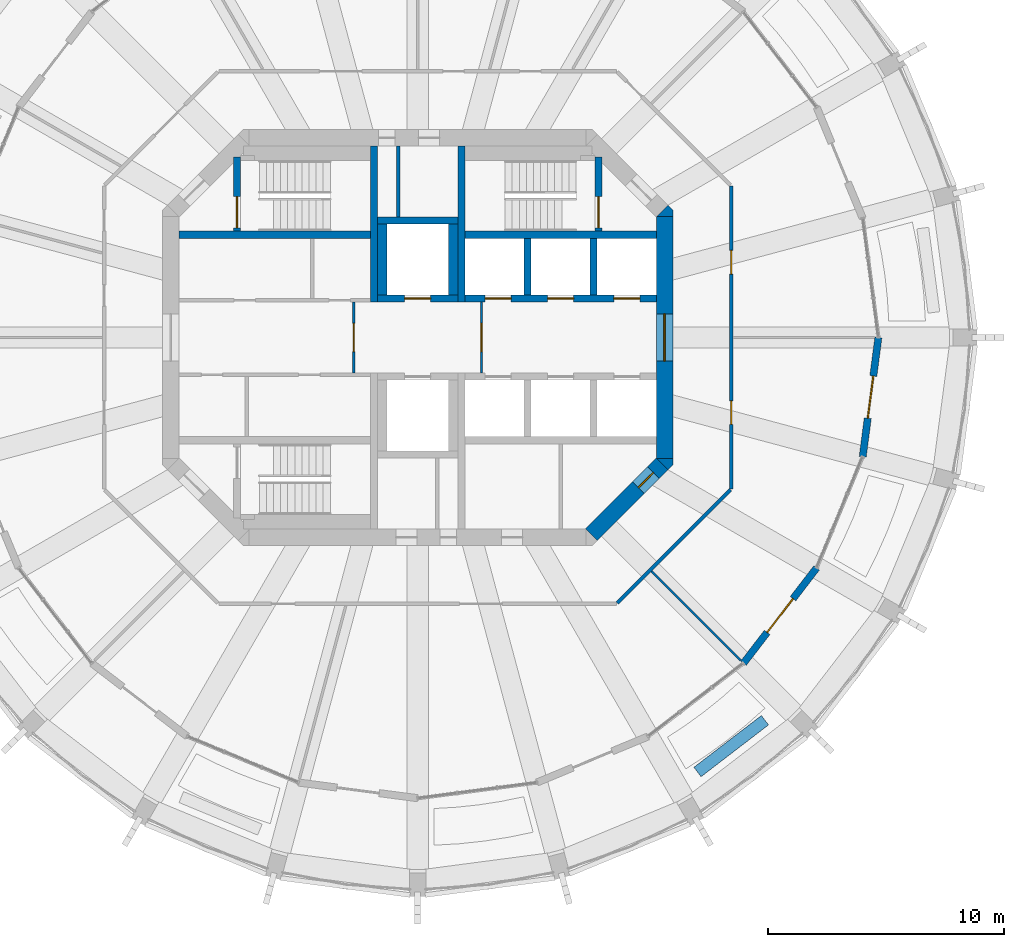
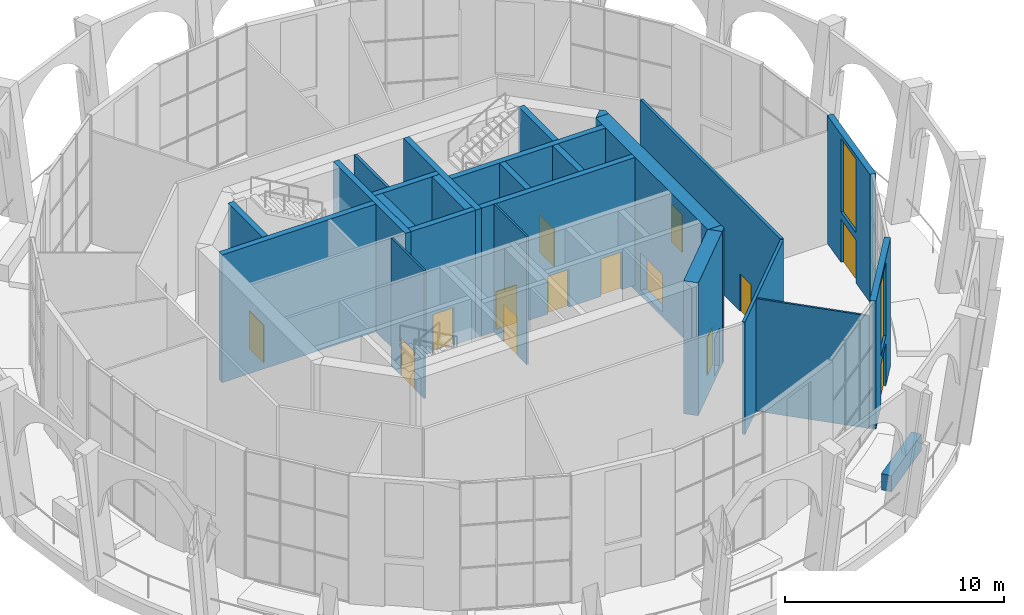
# One storey, part 11 of 16: 26 walls, 14 doors, 2 windows, 16 openings.
"""IFC4 building model written with IfcOpenShell, lengths in metres."""

from ifc_helpers import new_model, si_unit, direction, frame, frame_2d, origin, place, context, subcontext, project, spatial, polyline, rectangle, outline, extrude, material, layer, layer_set, type_object, element, fill, save


model = new_model("IFC4")

# Units and contexts
model_context = context("Model", 3, precision=1e-05, world=origin(), true_north=direction((0.0, 1.0)))
body_context = subcontext(model_context, "Body", "Model", "MODEL_VIEW")
ifc_project = project(units=[si_unit("LENGTHUNIT", "METRE"), si_unit("AREAUNIT", "SQUARE_METRE"), si_unit("VOLUMEUNIT", "CUBIC_METRE"), si_unit("PLANEANGLEUNIT", "RADIAN"), si_unit("MASSUNIT", "GRAM", prefix="KILO")], contexts=[model_context])

# Site, building, storey
site_placement = place(None, origin())
site = spatial("IfcSite", under=ifc_project, at=site_placement, CompositionType="ELEMENT")
building_placement = place(site_placement, origin())
building = spatial("IfcBuilding", under=site, at=building_placement, Name="Torre Triforio", CompositionType="ELEMENT")
storey_placement = place(building_placement, frame((0.0, 0.0, 218.699951171875)))
storey = spatial("IfcBuildingStorey", under=building, at=storey_placement, Name="L50", CompositionType="ELEMENT", Elevation=218.699951171875)

# Walls
ifc_material_1 = material(Name="Concrete C50", Category="concrete")
ifc_layer_1 = layer(ifc_material_1, 0.300048828125)
ifc_layer_set_1 = layer_set([ifc_layer_1], Name="Concrete C50")
wall_type_1 = type_object("IfcWallType", Name="Core wall 300 mm C50 EI 120", PredefinedType="SHEAR", material=ifc_layer_set_1)
for number, where, z_axis, x_axis, name in (
    (1, (-1.85009765625, 1.5, 0.0), (0.0, 0.0, 1.0), (0.0, 1.0, 0.0), "Core wall"),
    (2, (1.85009765625, 1.5, 0.0), (0.0, 0.0, 1.0), (0.0, 1.0, 0.0), "Core wall"),
):
    element("IfcWall", number, at=place(storey_placement, frame(where, z_axis=z_axis, x_axis=x_axis)), inside=storey, type_object=wall_type_1, Name=name, PredefinedType="SHEAR", context=body_context, shape_type="SweptSolid", body=[
        extrude(rectangle(XDim=6.60009765625, YDim=0.300048828125, at=frame_2d((3.300048828125, 0.0))), origin(), (0.0, 0.0, 1.0), 7.1201171875),
    ])

# Wall, opening, door
ifc_layer_2 = layer(ifc_material_1, 0.699951171875)
ifc_layer_set_2 = layer_set([ifc_layer_2], Name="Concrete C50")
wall_type_2 = type_object("IfcWallType", Name="Core wall 700 mm C50 EI 120", PredefinedType="SHEAR", material=ifc_layer_set_2)
wall_1_placement = place(storey_placement, frame((10.449951171875, -5.1298828125, -0.280029296875), z_axis=(0.0, 0.0, 1.0), x_axis=(0.0, 1.0, 0.0)))
wall_1 = element("IfcWall", 3, at=wall_1_placement, inside=storey, type_object=wall_type_2, Name="Core wall", PredefinedType="SHEAR", context=body_context, shape_type="SweptSolid", body=[
    extrude(rectangle(XDim=10.259765625, YDim=0.699951171875, at=frame_2d((5.1298828125, 0.0))), origin(), (0.0, 0.0, 1.0), 7.400146484375),
])
opening_1_placement = place(wall_1_placement, frame((4.1298828125, 0.0, 0.280029296875)))
opening_1 = element("IfcOpeningElement", 4, at=opening_1_placement, cuts=wall_1, Name="Opening E-RING", PredefinedType="OPENING", context=body_context, shape_type="SweptSolid", body=[
    extrude(rectangle(XDim=2.0, YDim=2.10009765625, at=frame_2d((1.0, 1.050048828125))), frame((0.0, 0.35986328125, 0.0), z_axis=(0.0, -1.0, 0.0), x_axis=(1.0, 0.0, 0.0)), (0.0, 0.0, 1.0), 0.719970703125),
])
ifc_material_2 = material(Name="Hollow metal fire door leaf")
door_type_1 = type_object("IfcDoorType", Name="Lobby door 2000 x 2100 EI 60", OperationType="DOUBLE_DOOR_SINGLE_SWING", PredefinedType="DOOR", material=ifc_material_2)
door_1_placement = place(opening_1_placement, origin())
door_1 = element("IfcDoor", 5, at=door_1_placement, inside=storey, type_object=door_type_1, Name="Core door E-RING", OperationType="DOUBLE_DOOR_SINGLE_SWING", OverallHeight=2.10009765625, OverallWidth=2.0, PredefinedType="DOOR", context=body_context, shape_type="SweptSolid", body=[
    extrude(rectangle(XDim=2.0, YDim=2.10009765625, at=frame_2d((1.0, 1.050048828125))), frame((0.0, 0.02490234375, 0.0), z_axis=(0.0, -1.0, 0.0), x_axis=(1.0, 0.0, 0.0)), (0.0, 0.0, 1.0), 0.050048828125),
])
fill(opening_1, door_1)

wall_2_placement = place(storey_placement, frame((10.347412109375, -5.347412109375, -0.280029296875), z_axis=(0.0, 0.0, 1.0), x_axis=(-0.707106781187, -0.707106781187, 0.0)))
wall_2 = element("IfcWall", 6, at=wall_2_placement, inside=storey, type_object=wall_type_2, Name="Core wall", PredefinedType="SHEAR", context=body_context, shape_type="SweptSolid", body=[
    extrude(rectangle(XDim=4.24267578125, YDim=0.699951171875, at=frame_2d((2.121337890625, 0.0))), origin(), (0.0, 0.0, 1.0), 7.400146484375),
])
opening_2_placement = place(wall_2_placement, frame((0.52001953125, 0.0, 0.280029296875)))
opening_2 = element("IfcOpeningElement", 7, at=opening_2_placement, cuts=wall_2, Name="Opening SE-02", PredefinedType="OPENING", context=body_context, shape_type="SweptSolid", body=[
    extrude(rectangle(XDim=0.89990234375, YDim=2.10009765625, at=frame_2d((0.449951171875, 1.050048828125))), frame((0.0, 0.35986328125, 0.0), z_axis=(0.0, -1.0, 0.0), x_axis=(1.0, 0.0, 0.0)), (0.0, 0.0, 1.0), 0.719970703125),
])
door_type_2 = type_object("IfcDoorType", Name="Room door 900 x 2100 EI 60", OperationType="NOTDEFINED", PredefinedType="DOOR", material=ifc_material_2)
door_2_placement = place(opening_2_placement, origin())
door_2 = element("IfcDoor", 8, at=door_2_placement, inside=storey, type_object=door_type_2, Name="Core door SE-02", OperationType="SINGLE_SWING_RIGHT", OverallHeight=2.10009765625, OverallWidth=0.89990234375, PredefinedType="DOOR", context=body_context, shape_type="SweptSolid", body=[
    extrude(rectangle(XDim=0.89990234375, YDim=2.10009765625, at=frame_2d((0.449951171875, 1.050048828125))), frame((0.0, 0.02490234375, 0.0), z_axis=(0.0, -1.0, 0.0), x_axis=(1.0, 0.0, 0.0)), (0.0, 0.0, 1.0), 0.050048828125),
])
fill(opening_2, door_2)

# Walls
wall_3_placement = place(storey_placement, frame((0.0, 0.0, -0.280029296875)))
element("IfcWall", 9, at=wall_3_placement, inside=storey, type_object=wall_type_2, Name="Core wall", PredefinedType="SHEAR", context=body_context, shape_type="SweptSolid", body=[
    extrude(outline(polyline([(10.800048828125, -5.389892578125), (10.594970703125, -5.594970703125), (10.594970703125, -5.594970703125), (10.594970703125, -5.594970703125), (10.1298828125, -5.1298828125), (10.800048828125, -5.1298828125), (10.800048828125, -5.1298828125), (10.800048828125, -5.389892578125)])), origin(), (0.0, 0.0, 1.0), 7.400146484375),
])
wall_4_placement = place(storey_placement, frame((0.0, 0.0, -0.280029296875)))
element("IfcWall", 10, at=wall_4_placement, inside=storey, type_object=wall_type_2, Name="Core wall", PredefinedType="SHEAR", context=body_context, shape_type="SweptSolid", body=[
    extrude(outline(polyline([(10.800048828125, 5.389892578125), (10.800048828125, 5.1298828125), (10.800048828125, 5.1298828125), (10.1298828125, 5.1298828125), (10.594970703125, 5.594970703125), (10.594970703125, 5.594970703125), (10.594970703125, 5.594970703125), (10.800048828125, 5.389892578125)])), origin(), (0.0, 0.0, 1.0), 7.400146484375),
])
ifc_material_3 = material(Name="Plasterboard on metal studs")
ifc_layer_3 = layer(ifc_material_3, 0.14990234375)
ifc_layer_set_3 = layer_set([ifc_layer_3], Name="Plasterboard on metal studs")
wall_type_3 = type_object("IfcWallType", Name="Corridor and tenancy wall 150 mm EI 60", PredefinedType="PARTITIONING", material=ifc_layer_set_3)
wall_5_placement = place(storey_placement, frame((13.23779296875, -6.452392578125, 0.0), z_axis=(0.0, 0.0, 1.0), x_axis=(-0.707106781187, -0.707106781187, 0.0)))
element("IfcWall", 11, at=wall_5_placement, inside=storey, type_object=wall_type_3, Name="Partition 1", PredefinedType="PARTITIONING", context=body_context, shape_type="SweptSolid", body=[
    extrude(rectangle(XDim=6.767578125, YDim=0.14990234375, at=frame_2d((3.3837890625, 0.0))), origin(), (0.0, 0.0, 1.0), 6.27001953125),
])

# Wall, openings, doors
wall_6_placement = place(storey_placement, frame((13.27490234375, 6.4150390625, 0.0), z_axis=(0.0, 0.0, 1.0), x_axis=(0.0, -1.0, 0.0)))
wall_6 = element("IfcWall", 12, at=wall_6_placement, inside=storey, type_object=wall_type_3, Name="Partition 8", PredefinedType="PARTITIONING", context=body_context, shape_type="SweptSolid", body=[
    extrude(rectangle(XDim=12.830078125, YDim=0.14990234375, at=frame_2d((6.4150390625, 0.0))), origin(), (0.0, 0.0, 1.0), 6.27001953125),
])
opening_3_placement = place(wall_6_placement, frame((9.09765625, 0.0, 0.0)))
opening_3 = element("IfcOpeningElement", 13, at=opening_3_placement, cuts=wall_6, Name="Opening G3-08", PredefinedType="OPENING", context=body_context, shape_type="SweptSolid", body=[
    extrude(rectangle(XDim=1.0, YDim=2.10009765625, at=frame_2d((0.5, 1.050048828125))), frame((0.0, 0.0849609375, 0.0), z_axis=(0.0, -1.0, 0.0), x_axis=(1.0, 0.0, 0.0)), (0.0, 0.0, 1.0), 0.169921875),
])
opening_4_placement = place(wall_6_placement, frame((2.732666015625, 0.0, 0.0)))
opening_4 = element("IfcOpeningElement", 14, at=opening_4_placement, cuts=wall_6, Name="Opening G3-09", PredefinedType="OPENING", context=body_context, shape_type="SweptSolid", body=[
    extrude(rectangle(XDim=1.0, YDim=2.10009765625, at=frame_2d((0.5, 1.050048828125))), frame((0.0, 0.0849609375, 0.0), z_axis=(0.0, -1.0, 0.0), x_axis=(1.0, 0.0, 0.0)), (0.0, 0.0, 1.0), 0.169921875),
])
ifc_material_4 = material(Name="Timber", Category="wood")
door_type_3 = type_object("IfcDoorType", Name="Door 1000 x 2100 single leaf EI 30", OperationType="NOTDEFINED", PredefinedType="DOOR", material=ifc_material_4)
door_3_placement = place(opening_3_placement, origin())
door_3 = element("IfcDoor", 15, at=door_3_placement, inside=storey, type_object=door_type_3, Name="Door G3-08", OperationType="SINGLE_SWING_LEFT", OverallHeight=2.10009765625, OverallWidth=1.0, PredefinedType="DOOR", context=body_context, shape_type="SweptSolid", body=[
    extrude(rectangle(XDim=1.0, YDim=2.10009765625, at=frame_2d((0.5, 1.050048828125))), frame((0.0, 0.02490234375, 0.0), z_axis=(0.0, -1.0, 0.0), x_axis=(1.0, 0.0, 0.0)), (0.0, 0.0, 1.0), 0.050048828125),
])
fill(opening_3, door_3)
door_4_placement = place(opening_4_placement, origin())
door_4 = element("IfcDoor", 16, at=door_4_placement, inside=storey, type_object=door_type_3, Name="Door G3-09", OperationType="SINGLE_SWING_LEFT", OverallHeight=2.10009765625, OverallWidth=1.0, PredefinedType="DOOR", context=body_context, shape_type="SweptSolid", body=[
    extrude(rectangle(XDim=1.0, YDim=2.10009765625, at=frame_2d((0.5, 1.050048828125))), frame((0.0, 0.02490234375, 0.0), z_axis=(0.0, -1.0, 0.0), x_axis=(1.0, 0.0, 0.0)), (0.0, 0.0, 1.0), 0.050048828125),
])
fill(opening_4, door_4)

# Wall, opening, door
ifc_material_5 = material(Name="Block and board partition")
ifc_layer_4 = layer(ifc_material_5, 0.10009765625)
ifc_layer_set_4 = layer_set([ifc_layer_4], Name="Block and board partition")
wall_type_4 = type_object("IfcWallType", Name="Partition 100 mm EI 120", PredefinedType="PARTITIONING", material=ifc_layer_set_4)
wall_7_placement = place(storey_placement, frame((-2.699951171875, -1.5, 0.0), z_axis=(0.0, 0.0, 1.0), x_axis=(0.0, 1.0, 0.0)))
wall_7 = element("IfcWall", 17, at=wall_7_placement, inside=storey, type_object=wall_type_4, Name="Partition", PredefinedType="PARTITIONING", context=body_context, shape_type="SweptSolid", body=[
    extrude(rectangle(XDim=3.0, YDim=0.10009765625, at=frame_2d((1.5, 0.0))), origin(), (0.0, 0.0, 1.0), 7.1201171875),
])
opening_5_placement = place(wall_7_placement, frame((0.89990234375, 0.0, 0.0)))
opening_5 = element("IfcOpeningElement", 18, at=opening_5_placement, cuts=wall_7, Name="Opening FF-W", PredefinedType="OPENING", context=body_context, shape_type="SweptSolid", body=[
    extrude(rectangle(XDim=1.199951171875, YDim=2.10009765625, at=frame_2d((0.60009765625, 1.050048828125))), frame((0.0, 0.06005859375, 0.0), z_axis=(0.0, -1.0, 0.0), x_axis=(1.0, 0.0, 0.0)), (0.0, 0.0, 1.0), 0.1201171875),
])
door_type_4 = type_object("IfcDoorType", Name="Fire-fighting lobby door 1200 x 2100 EI 60", OperationType="NOTDEFINED", PredefinedType="DOOR", material=ifc_material_2)
door_5_placement = place(opening_5_placement, origin())
door_5 = element("IfcDoor", 19, at=door_5_placement, inside=storey, type_object=door_type_4, Name="Core door FF-W", OperationType="SINGLE_SWING_RIGHT", OverallHeight=2.10009765625, OverallWidth=1.199951171875, PredefinedType="DOOR", context=body_context, shape_type="SweptSolid", body=[
    extrude(rectangle(XDim=1.199951171875, YDim=2.10009765625, at=frame_2d((0.60009765625, 1.050048828125))), frame((0.0, 0.02490234375, 0.0), z_axis=(0.0, -1.0, 0.0), x_axis=(1.0, 0.0, 0.0)), (0.0, 0.0, 1.0), 0.050048828125),
])
fill(opening_5, door_5)

wall_8_placement = place(storey_placement, frame((2.699951171875, -1.5, 0.0), z_axis=(0.0, 0.0, 1.0), x_axis=(0.0, 1.0, 0.0)))
wall_8 = element("IfcWall", 20, at=wall_8_placement, inside=storey, type_object=wall_type_4, Name="Partition", PredefinedType="PARTITIONING", context=body_context, shape_type="SweptSolid", body=[
    extrude(rectangle(XDim=3.0, YDim=0.10009765625, at=frame_2d((1.5, 0.0))), origin(), (0.0, 0.0, 1.0), 7.1201171875),
])
opening_6_placement = place(wall_8_placement, frame((0.89990234375, 0.0, 0.0)))
opening_6 = element("IfcOpeningElement", 21, at=opening_6_placement, cuts=wall_8, Name="Opening FF-E", PredefinedType="OPENING", context=body_context, shape_type="SweptSolid", body=[
    extrude(rectangle(XDim=1.199951171875, YDim=2.10009765625, at=frame_2d((0.60009765625, 1.050048828125))), frame((0.0, 0.06005859375, 0.0), z_axis=(0.0, -1.0, 0.0), x_axis=(1.0, 0.0, 0.0)), (0.0, 0.0, 1.0), 0.1201171875),
])
door_6_placement = place(opening_6_placement, origin())
door_6 = element("IfcDoor", 22, at=door_6_placement, inside=storey, type_object=door_type_4, Name="Core door FF-E", OperationType="SINGLE_SWING_RIGHT", OverallHeight=2.10009765625, OverallWidth=1.199951171875, PredefinedType="DOOR", context=body_context, shape_type="SweptSolid", body=[
    extrude(rectangle(XDim=1.199951171875, YDim=2.10009765625, at=frame_2d((0.60009765625, 1.050048828125))), frame((0.0, 0.02490234375, 0.0), z_axis=(0.0, -1.0, 0.0), x_axis=(1.0, 0.0, 0.0)), (0.0, 0.0, 1.0), 0.050048828125),
])
fill(opening_6, door_6)

# Walls
ifc_layer_5 = layer(ifc_material_3, 0.10009765625)
ifc_layer_set_5 = layer_set([ifc_layer_5], Name="Plasterboard on metal studs")
wall_type_5 = type_object("IfcWallType", Name="Partition 100 mm board on metal studs", PredefinedType="PARTITIONING", material=ifc_layer_set_5)
wall_9_placement = place(storey_placement, frame((9.898193359375, -9.898193359375, 0.0), z_axis=(0.0, 0.0, 1.0), x_axis=(0.707106781187, -0.707106781187, 0.0)))
element("IfcWall", 23, at=wall_9_placement, inside=storey, type_object=wall_type_5, Name="Partition 20", PredefinedType="PARTITIONING", context=body_context, shape_type="SweptSolid", body=[
    extrude(rectangle(XDim=5.338623046875, YDim=0.10009765625, at=frame_2d((2.66943359375, 0.0))), origin(), (0.0, 0.0, 1.0), 6.27001953125),
])
ifc_layer_6 = layer(ifc_material_5, 0.14990234375)
ifc_layer_set_6 = layer_set([ifc_layer_6], Name="Block and board partition")
wall_type_6 = type_object("IfcWallType", Name="Partition 150 mm EI 120", PredefinedType="PARTITIONING", material=ifc_layer_set_6)
wall_10_placement = place(storey_placement, frame((-0.824951171875, 5.10009765625, 0.0), z_axis=(0.0, 0.0, 1.0), x_axis=(0.0, 1.0, 0.0)))
element("IfcWall", 24, at=wall_10_placement, inside=storey, type_object=wall_type_6, Name="Partition", PredefinedType="PARTITIONING", context=body_context, shape_type="SweptSolid", body=[
    extrude(rectangle(XDim=3.0, YDim=0.14990234375, at=frame_2d((1.5, 0.0))), origin(), (0.0, 0.0, 1.0), 7.1201171875),
])
ifc_material_6 = material(Name="Limestone cladding", Category="masonry")
ifc_layer_7 = layer(ifc_material_6, 0.10009765625)
ifc_material_7 = material(Name="Concrete C40", Category="concrete")
ifc_layer_8 = layer(ifc_material_7, 0.39990234375)
ifc_layer_set_7 = layer_set([ifc_layer_7, ifc_layer_8], Name="Limestone cladding / Concrete C40")
wall_type_7 = type_object("IfcWallType", Name="Planter wall 500", PredefinedType="PARAPET", material=ifc_layer_set_7)
wall_11_placement = place(storey_placement, frame((11.843017578125, -18.390869140625, 0.0), z_axis=(0.0, 0.0, 1.0), x_axis=(0.793326845617, 0.608795955984, 0.0)))
element("IfcWall", 25, at=wall_11_placement, inside=storey, type_object=wall_type_7, Name="Planter L50 bay 21", PredefinedType="PARAPET", context=body_context, shape_type="SweptSolid", body=[
    extrude(rectangle(XDim=3.599853515625, YDim=0.5, at=frame_2d((1.7998046875, 0.0))), origin(), (0.0, 0.0, 1.0), 0.900146484375),
])
ifc_layer_9 = layer(ifc_material_1, 0.300048828125)
ifc_layer_set_8 = layer_set([ifc_layer_9], Name="Concrete C50")
wall_type_8 = type_object("IfcWallType", Name="Shaft wall 300 mm C50 EI 120", PredefinedType="SOLIDWALL", material=ifc_layer_set_8)
for number, where, z_axis, x_axis, name in (
    (26, (-10.10009765625, 4.35009765625, 0.0), (0.0, 0.0, 1.0), (1.0, 0.0, 0.0), "Shaft wall"),
    (27, (2.0, 4.35009765625, 0.0), (0.0, 0.0, 1.0), (1.0, 0.0, 0.0), "Shaft wall"),
):
    element("IfcWall", number, at=place(storey_placement, frame(where, z_axis=z_axis, x_axis=x_axis)), inside=storey, type_object=wall_type_8, Name=name, PredefinedType="SOLIDWALL", context=body_context, shape_type="SweptSolid", body=[
        extrude(rectangle(XDim=8.10009765625, YDim=0.300048828125, at=frame_2d((4.050048828125, 0.0))), origin(), (0.0, 0.0, 1.0), 7.1201171875),
    ])

# Wall, openings, doors
wall_12_placement = place(storey_placement, frame((2.0, 1.64990234375, 0.0), z_axis=(0.0, 0.0, 1.0), x_axis=(1.0, 0.0, 0.0)))
wall_12 = element("IfcWall", 28, at=wall_12_placement, inside=storey, type_object=wall_type_8, Name="Shaft wall", PredefinedType="SOLIDWALL", context=body_context, shape_type="SweptSolid", body=[
    extrude(rectangle(XDim=8.10009765625, YDim=0.300048828125, at=frame_2d((4.050048828125, 0.0))), origin(), (0.0, 0.0, 1.0), 7.1201171875),
])
opening_7_placement = place(wall_12_placement, frame((0.85009765625, 0.0, 0.0)))
opening_7 = element("IfcOpeningElement", 29, at=opening_7_placement, cuts=wall_12, Name="Opening LD", PredefinedType="OPENING", context=body_context, shape_type="SweptSolid", body=[
    extrude(rectangle(XDim=1.10009765625, YDim=2.10009765625, at=frame_2d((0.550048828125, 1.050048828125))), frame((0.0, 0.159912109375, 0.0), z_axis=(0.0, -1.0, 0.0), x_axis=(1.0, 0.0, 0.0)), (0.0, 0.0, 1.0), 0.320068359375),
])
opening_8_placement = place(wall_12_placement, frame((3.5, 0.0, 0.0)))
opening_8 = element("IfcOpeningElement", 30, at=opening_8_placement, cuts=wall_12, Name="Opening LD", PredefinedType="OPENING", context=body_context, shape_type="SweptSolid", body=[
    extrude(rectangle(XDim=1.10009765625, YDim=2.10009765625, at=frame_2d((0.550048828125, 1.050048828125))), frame((0.0, 0.159912109375, 0.0), z_axis=(0.0, -1.0, 0.0), x_axis=(1.0, 0.0, 0.0)), (0.0, 0.0, 1.0), 0.320068359375),
])
opening_9_placement = place(wall_12_placement, frame((6.300048828125, 0.0, 0.0)))
opening_9 = element("IfcOpeningElement", 31, at=opening_9_placement, cuts=wall_12, Name="Opening LD", PredefinedType="OPENING", context=body_context, shape_type="SweptSolid", body=[
    extrude(rectangle(XDim=1.10009765625, YDim=2.10009765625, at=frame_2d((0.550048828125, 1.050048828125))), frame((0.0, 0.159912109375, 0.0), z_axis=(0.0, -1.0, 0.0), x_axis=(1.0, 0.0, 0.0)), (0.0, 0.0, 1.0), 0.320068359375),
])
door_type_5 = type_object("IfcDoorType", Name="Landing door 1100 x 2100 EI 60", OperationType="DOUBLE_DOOR_SLIDING", PredefinedType="DOOR", material=ifc_material_2)
door_7_placement = place(opening_7_placement, origin())
door_7 = element("IfcDoor", 32, at=door_7_placement, inside=storey, type_object=door_type_5, Name="Landing door HR1", OperationType="DOUBLE_DOOR_SLIDING", OverallHeight=2.10009765625, OverallWidth=1.10009765625, PredefinedType="DOOR", context=body_context, shape_type="SweptSolid", body=[
    extrude(rectangle(XDim=1.10009765625, YDim=2.10009765625, at=frame_2d((0.550048828125, 1.050048828125))), frame((0.0, 0.02490234375, 0.0), z_axis=(0.0, -1.0, 0.0), x_axis=(1.0, 0.0, 0.0)), (0.0, 0.0, 1.0), 0.050048828125),
])
fill(opening_7, door_7)
door_8_placement = place(opening_8_placement, origin())
door_8 = element("IfcDoor", 33, at=door_8_placement, inside=storey, type_object=door_type_5, Name="Landing door HR2", OperationType="DOUBLE_DOOR_SLIDING", OverallHeight=2.10009765625, OverallWidth=1.10009765625, PredefinedType="DOOR", context=body_context, shape_type="SweptSolid", body=[
    extrude(rectangle(XDim=1.10009765625, YDim=2.10009765625, at=frame_2d((0.550048828125, 1.050048828125))), frame((0.0, 0.02490234375, 0.0), z_axis=(0.0, -1.0, 0.0), x_axis=(1.0, 0.0, 0.0)), (0.0, 0.0, 1.0), 0.050048828125),
])
fill(opening_8, door_8)
door_9_placement = place(opening_9_placement, origin())
door_9 = element("IfcDoor", 34, at=door_9_placement, inside=storey, type_object=door_type_5, Name="Landing door HR3", OperationType="DOUBLE_DOOR_SLIDING", OverallHeight=2.10009765625, OverallWidth=1.10009765625, PredefinedType="DOOR", context=body_context, shape_type="SweptSolid", body=[
    extrude(rectangle(XDim=1.10009765625, YDim=2.10009765625, at=frame_2d((0.550048828125, 1.050048828125))), frame((0.0, 0.02490234375, 0.0), z_axis=(0.0, -1.0, 0.0), x_axis=(1.0, 0.0, 0.0)), (0.0, 0.0, 1.0), 0.050048828125),
])
fill(opening_9, door_9)

# Walls
for number, where, z_axis, x_axis, name in (
    (35, (4.64990234375, 1.800048828125, 0.0), (0.0, 0.0, 1.0), (0.0, 1.0, 0.0), "Shaft wall"),
    (36, (7.449951171875, 1.800048828125, 0.0), (0.0, 0.0, 1.0), (0.0, 1.0, 0.0), "Shaft wall"),
):
    element("IfcWall", number, at=place(storey_placement, frame(where, z_axis=z_axis, x_axis=x_axis)), inside=storey, type_object=wall_type_8, Name=name, PredefinedType="SOLIDWALL", context=body_context, shape_type="SweptSolid", body=[
        extrude(rectangle(XDim=2.39990234375, YDim=0.300048828125, at=frame_2d((1.199951171875, 0.0))), origin(), (0.0, 0.0, 1.0), 7.1201171875),
    ])

# Wall, opening, door
wall_13_placement = place(storey_placement, frame((-1.699951171875, 1.64990234375, 0.0), z_axis=(0.0, 0.0, 1.0), x_axis=(1.0, 0.0, 0.0)))
wall_13 = element("IfcWall", 37, at=wall_13_placement, inside=storey, type_object=wall_type_8, Name="Shaft wall", PredefinedType="SOLIDWALL", context=body_context, shape_type="SweptSolid", body=[
    extrude(rectangle(XDim=3.39990234375, YDim=0.300048828125, at=frame_2d((1.699951171875, 0.0))), origin(), (0.0, 0.0, 1.0), 7.1201171875),
])
opening_10_placement = place(wall_13_placement, frame((1.14990234375, 0.0, 0.0)))
opening_10 = element("IfcOpeningElement", 38, at=opening_10_placement, cuts=wall_13, Name="Opening LD", PredefinedType="OPENING", context=body_context, shape_type="SweptSolid", body=[
    extrude(rectangle(XDim=1.10009765625, YDim=2.10009765625, at=frame_2d((0.550048828125, 1.050048828125))), frame((0.0, 0.159912109375, 0.0), z_axis=(0.0, -1.0, 0.0), x_axis=(1.0, 0.0, 0.0)), (0.0, 0.0, 1.0), 0.320068359375),
])
door_10_placement = place(opening_10_placement, origin())
door_10 = element("IfcDoor", 39, at=door_10_placement, inside=storey, type_object=door_type_5, Name="Landing door FFL1", OperationType="DOUBLE_DOOR_SLIDING", OverallHeight=2.10009765625, OverallWidth=1.10009765625, PredefinedType="DOOR", context=body_context, shape_type="SweptSolid", body=[
    extrude(rectangle(XDim=1.10009765625, YDim=2.10009765625, at=frame_2d((0.550048828125, 1.050048828125))), frame((0.0, 0.02490234375, 0.0), z_axis=(0.0, -1.0, 0.0), x_axis=(1.0, 0.0, 0.0)), (0.0, 0.0, 1.0), 0.050048828125),
])
fill(opening_10, door_10)

# Walls
wall_14_placement = place(storey_placement, frame((-1.699951171875, 4.949951171875, 0.0), z_axis=(0.0, 0.0, 1.0), x_axis=(1.0, 0.0, 0.0)))
element("IfcWall", 40, at=wall_14_placement, inside=storey, type_object=wall_type_8, Name="Shaft wall", PredefinedType="SOLIDWALL", context=body_context, shape_type="SweptSolid", body=[
    extrude(rectangle(XDim=3.39990234375, YDim=0.300048828125, at=frame_2d((1.699951171875, 0.0))), origin(), (0.0, 0.0, 1.0), 7.1201171875),
])
ifc_layer_10 = layer(ifc_material_1, 0.39990234375)
ifc_layer_set_9 = layer_set([ifc_layer_10], Name="Concrete C50")
wall_type_9 = type_object("IfcWallType", Name="Shaft wall 400 mm C50 EI 120", PredefinedType="SOLIDWALL", material=ifc_layer_set_9)
for number, where, z_axis, x_axis, name in (
    (41, (-1.5, 1.800048828125, 0.0), (0.0, 0.0, 1.0), (0.0, 1.0, 0.0), "Shaft wall"),
    (42, (1.5, 1.800048828125, 0.0), (0.0, 0.0, 1.0), (0.0, 1.0, 0.0), "Shaft wall"),
):
    element("IfcWall", number, at=place(storey_placement, frame(where, z_axis=z_axis, x_axis=x_axis)), inside=storey, type_object=wall_type_9, Name=name, PredefinedType="SOLIDWALL", context=body_context, shape_type="SweptSolid", body=[
        extrude(rectangle(XDim=3.0, YDim=0.39990234375, at=frame_2d((1.5, 0.0))), origin(), (0.0, 0.0, 1.0), 7.1201171875),
    ])

# Wall, opening, door
ifc_layer_11 = layer(ifc_material_1, 0.300048828125)
ifc_layer_set_10 = layer_set([ifc_layer_11], Name="Concrete C50")
wall_type_10 = type_object("IfcWallType", Name="Stair wall 300 mm C50 EI 120", PredefinedType="SHEAR", material=ifc_layer_set_10)
wall_15_placement = place(storey_placement, frame((-7.64990234375, 4.5, 0.0), z_axis=(0.0, 0.0, 1.0), x_axis=(0.0, 1.0, 0.0)))
wall_15 = element("IfcWall", 43, at=wall_15_placement, inside=storey, type_object=wall_type_10, Name="Stair wall", PredefinedType="SHEAR", context=body_context, shape_type="SweptSolid", body=[
    extrude(rectangle(XDim=3.139892578125, YDim=0.300048828125, at=frame_2d((1.56982421875, 0.0))), origin(), (0.0, 0.0, 1.0), 7.1201171875),
])
opening_11_placement = place(wall_15_placement, frame((0.139892578125, 0.0, 0.0)))
opening_11 = element("IfcOpeningElement", 44, at=opening_11_placement, cuts=wall_15, Name="Opening ST1-STA", PredefinedType="OPENING", context=body_context, shape_type="SweptSolid", body=[
    extrude(rectangle(XDim=1.320068359375, YDim=2.10009765625, at=frame_2d((0.66015625, 1.050048828125))), frame((0.0, 0.159912109375, 0.0), z_axis=(0.0, -1.0, 0.0), x_axis=(1.0, 0.0, 0.0)), (0.0, 0.0, 1.0), 0.320068359375),
])
door_type_6 = type_object("IfcDoorType", Name="Stair door 1320 x 2100 EI 90", OperationType="DOUBLE_DOOR_SINGLE_SWING", PredefinedType="DOOR", material=ifc_material_2)
door_11_placement = place(opening_11_placement, origin())
door_11 = element("IfcDoor", 45, at=door_11_placement, inside=storey, type_object=door_type_6, Name="Core door ST1-ST", OperationType="DOUBLE_DOOR_SINGLE_SWING", OverallHeight=2.10009765625, OverallWidth=1.320068359375, PredefinedType="DOOR", context=body_context, shape_type="SweptSolid", body=[
    extrude(rectangle(XDim=1.320068359375, YDim=2.10009765625, at=frame_2d((0.66015625, 1.050048828125))), frame((0.0, 0.02490234375, 0.0), z_axis=(0.0, -1.0, 0.0), x_axis=(1.0, 0.0, 0.0)), (0.0, 0.0, 1.0), 0.050048828125),
])
fill(opening_11, door_11)

wall_16_placement = place(storey_placement, frame((7.64990234375, 4.5, 0.0), z_axis=(0.0, 0.0, 1.0), x_axis=(0.0, 1.0, 0.0)))
wall_16 = element("IfcWall", 46, at=wall_16_placement, inside=storey, type_object=wall_type_10, Name="Stair wall", PredefinedType="SHEAR", context=body_context, shape_type="SweptSolid", body=[
    extrude(rectangle(XDim=3.139892578125, YDim=0.300048828125, at=frame_2d((1.56982421875, 0.0))), origin(), (0.0, 0.0, 1.0), 7.1201171875),
])
opening_12_placement = place(wall_16_placement, frame((0.139892578125, 0.0, 0.0)))
opening_12 = element("IfcOpeningElement", 47, at=opening_12_placement, cuts=wall_16, Name="Opening ST2-STA", PredefinedType="OPENING", context=body_context, shape_type="SweptSolid", body=[
    extrude(rectangle(XDim=1.320068359375, YDim=2.10009765625, at=frame_2d((0.66015625, 1.050048828125))), frame((0.0, 0.159912109375, 0.0), z_axis=(0.0, -1.0, 0.0), x_axis=(1.0, 0.0, 0.0)), (0.0, 0.0, 1.0), 0.320068359375),
])
door_12_placement = place(opening_12_placement, origin())
door_12 = element("IfcDoor", 48, at=door_12_placement, inside=storey, type_object=door_type_6, Name="Core door ST2-ST", OperationType="DOUBLE_DOOR_SINGLE_SWING", OverallHeight=2.10009765625, OverallWidth=1.320068359375, PredefinedType="DOOR", context=body_context, shape_type="SweptSolid", body=[
    extrude(rectangle(XDim=1.320068359375, YDim=2.10009765625, at=frame_2d((0.66015625, 1.050048828125))), frame((0.0, 0.02490234375, 0.0), z_axis=(0.0, -1.0, 0.0), x_axis=(1.0, 0.0, 0.0)), (0.0, 0.0, 1.0), 0.050048828125),
])
fill(opening_12, door_12)

# Wall, openings, window, door
ifc_layer_12 = layer(ifc_material_6, 0.10009765625)
ifc_layer_13 = layer(ifc_material_7, 0.199951171875)
ifc_layer_set_11 = layer_set([ifc_layer_12, ifc_layer_13], Name="Limestone cladding / Concrete C40")
wall_type_11 = type_object("IfcWallType", Name="Stone-faced composite wall 300", PredefinedType="STANDARD", material=ifc_layer_set_11)
wall_17_placement = place(storey_placement, frame((13.78857421875, -13.78857421875, 0.0), z_axis=(0.0, 0.0, 1.0), x_axis=(0.608757714995, 0.79335619014, 0.0)))
wall_17 = element("IfcWall", 49, at=wall_17_placement, inside=storey, type_object=wall_type_11, Name="External wall L50 bay 22", PredefinedType="STANDARD", context=body_context, shape_type="SweptSolid", body=[
    extrude(rectangle(XDim=5.090576171875, YDim=0.300048828125, at=frame_2d((2.54541015625, 0.0))), origin(), (0.0, 0.0, 1.0), 7.1201171875),
])
opening_13_placement = place(wall_17_placement, frame((1.645263671875, 0.0, 0.0)))
opening_13 = element("IfcOpeningElement", 50, at=opening_13_placement, cuts=wall_17, Name="Opening G3-D22", PredefinedType="OPENING", context=body_context, shape_type="SweptSolid", body=[
    extrude(rectangle(XDim=1.800048828125, YDim=2.39990234375, at=frame_2d((0.89990234375, 1.199951171875))), frame((0.0, 0.159912109375, 0.0), z_axis=(0.0, -1.0, 0.0), x_axis=(1.0, 0.0, 0.0)), (0.0, 0.0, 1.0), 0.320068359375),
])
opening_14_placement = place(wall_17_placement, frame((1.645263671875, 0.0, 2.800048828125)))
opening_14 = element("IfcOpeningElement", 51, at=opening_14_placement, cuts=wall_17, Name="Opening G3-W22", PredefinedType="OPENING", context=body_context, shape_type="SweptSolid", body=[
    extrude(rectangle(XDim=1.800048828125, YDim=4.10009765625, at=frame_2d((0.89990234375, 2.050048828125))), frame((0.0, 0.159912109375, 0.0), z_axis=(0.0, -1.0, 0.0), x_axis=(1.0, 0.0, 0.0)), (0.0, 0.0, 1.0), 0.320068359375),
])
ifc_material_8 = material(Name="Aluminium frame with clear double glazing", Category="aluminium")
window_type = type_object("IfcWindowType", Name="Garden clerestory window 1800 x 4100", PartitioningType="DOUBLE_PANEL_VERTICAL", PredefinedType="WINDOW", material=ifc_material_8)
window_1_placement = place(opening_14_placement, origin())
window_1 = element("IfcWindow", 52, at=window_1_placement, inside=storey, type_object=window_type, Name="Clerestory EWN22 L50 bay 22", OverallHeight=4.10009765625, OverallWidth=1.800048828125, PartitioningType="SINGLE_PANEL", PredefinedType="WINDOW", context=body_context, shape_type="SweptSolid", body=[
    extrude(rectangle(XDim=1.800048828125, YDim=4.10009765625, at=frame_2d((0.89990234375, 2.050048828125))), frame((0.0, 0.030029296875, 0.0), z_axis=(0.0, -1.0, 0.0), x_axis=(1.0, 0.0, 0.0)), (0.0, 0.0, 1.0), 0.06005859375),
])
fill(opening_14, window_1)
door_type_7 = type_object("IfcDoorType", Name="Terrace double door 1800 x 2400", OperationType="DOUBLE_DOOR_SINGLE_SWING", PredefinedType="DOOR", material=ifc_material_8)
door_13_placement = place(opening_13_placement, origin())
door_13 = element("IfcDoor", 53, at=door_13_placement, inside=storey, type_object=door_type_7, Name="Terrace door L50 bay 22", OperationType="SINGLE_SWING_LEFT", OverallHeight=2.39990234375, OverallWidth=1.800048828125, PredefinedType="DOOR", context=body_context, shape_type="SweptSolid", body=[
    extrude(rectangle(XDim=1.800048828125, YDim=2.39990234375, at=frame_2d((0.89990234375, 1.199951171875))), frame((0.0, 0.02490234375, 0.0), z_axis=(0.0, -1.0, 0.0), x_axis=(1.0, 0.0, 0.0)), (0.0, 0.0, 1.0), 0.050048828125),
])
fill(opening_13, door_13)

wall_18_placement = place(storey_placement, frame((18.835693359375, -5.047119140625, 0.0), z_axis=(0.0, 0.0, 1.0), x_axis=(0.130495451964, 0.99144890792, 0.0)))
wall_18 = element("IfcWall", 54, at=wall_18_placement, inside=storey, type_object=wall_type_11, Name="External wall L50 bay 24", PredefinedType="STANDARD", context=body_context, shape_type="SweptSolid", body=[
    extrude(rectangle(XDim=5.090576171875, YDim=0.300048828125, at=frame_2d((2.54541015625, 0.0))), origin(), (0.0, 0.0, 1.0), 7.1201171875),
])
opening_15_placement = place(wall_18_placement, frame((1.645263671875, 0.0, 0.0)))
opening_15 = element("IfcOpeningElement", 55, at=opening_15_placement, cuts=wall_18, Name="Opening G3-D24", PredefinedType="OPENING", context=body_context, shape_type="SweptSolid", body=[
    extrude(rectangle(XDim=1.800048828125, YDim=2.39990234375, at=frame_2d((0.89990234375, 1.199951171875))), frame((0.0, 0.159912109375, 0.0), z_axis=(0.0, -1.0, 0.0), x_axis=(1.0, 0.0, 0.0)), (0.0, 0.0, 1.0), 0.320068359375),
])
opening_16_placement = place(wall_18_placement, frame((1.645263671875, 0.0, 2.800048828125)))
opening_16 = element("IfcOpeningElement", 56, at=opening_16_placement, cuts=wall_18, Name="Opening G3-W24", PredefinedType="OPENING", context=body_context, shape_type="SweptSolid", body=[
    extrude(rectangle(XDim=1.800048828125, YDim=4.10009765625, at=frame_2d((0.89990234375, 2.050048828125))), frame((0.0, 0.159912109375, 0.0), z_axis=(0.0, -1.0, 0.0), x_axis=(1.0, 0.0, 0.0)), (0.0, 0.0, 1.0), 0.320068359375),
])
window_2_placement = place(opening_16_placement, origin())
window_2 = element("IfcWindow", 57, at=window_2_placement, inside=storey, type_object=window_type, Name="Clerestory EWN22 L50 bay 24", OverallHeight=4.10009765625, OverallWidth=1.800048828125, PartitioningType="SINGLE_PANEL", PredefinedType="WINDOW", context=body_context, shape_type="SweptSolid", body=[
    extrude(rectangle(XDim=1.800048828125, YDim=4.10009765625, at=frame_2d((0.89990234375, 2.050048828125))), frame((0.0, 0.030029296875, 0.0), z_axis=(0.0, -1.0, 0.0), x_axis=(1.0, 0.0, 0.0)), (0.0, 0.0, 1.0), 0.06005859375),
])
fill(opening_16, window_2)
door_14_placement = place(opening_15_placement, origin())
door_14 = element("IfcDoor", 58, at=door_14_placement, inside=storey, type_object=door_type_7, Name="Terrace door L50 bay 24", OperationType="SINGLE_SWING_LEFT", OverallHeight=2.39990234375, OverallWidth=1.800048828125, PredefinedType="DOOR", context=body_context, shape_type="SweptSolid", body=[
    extrude(rectangle(XDim=1.800048828125, YDim=2.39990234375, at=frame_2d((0.89990234375, 1.199951171875))), frame((0.0, 0.02490234375, 0.0), z_axis=(0.0, -1.0, 0.0), x_axis=(1.0, 0.0, 0.0)), (0.0, 0.0, 1.0), 0.050048828125),
])
fill(opening_15, door_14)

save(model, "model.ifc")
